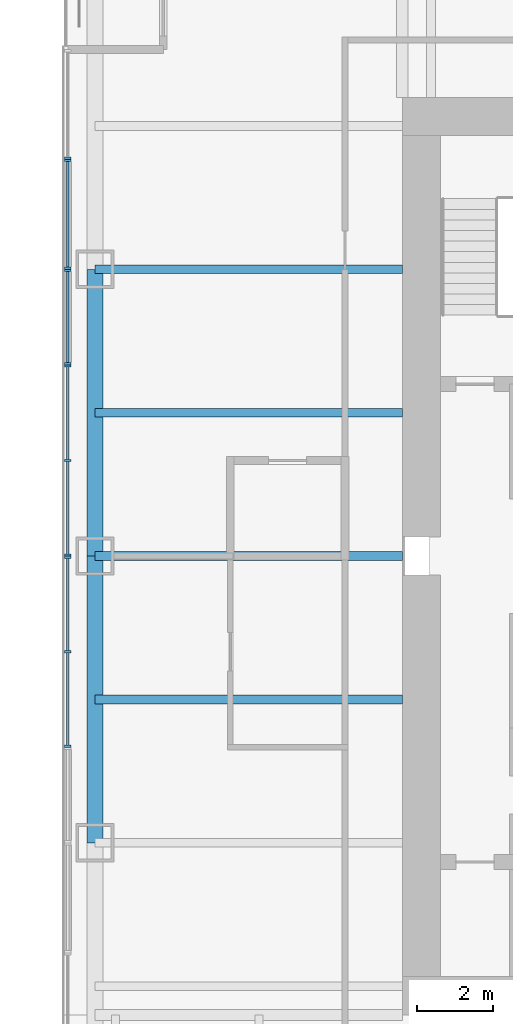
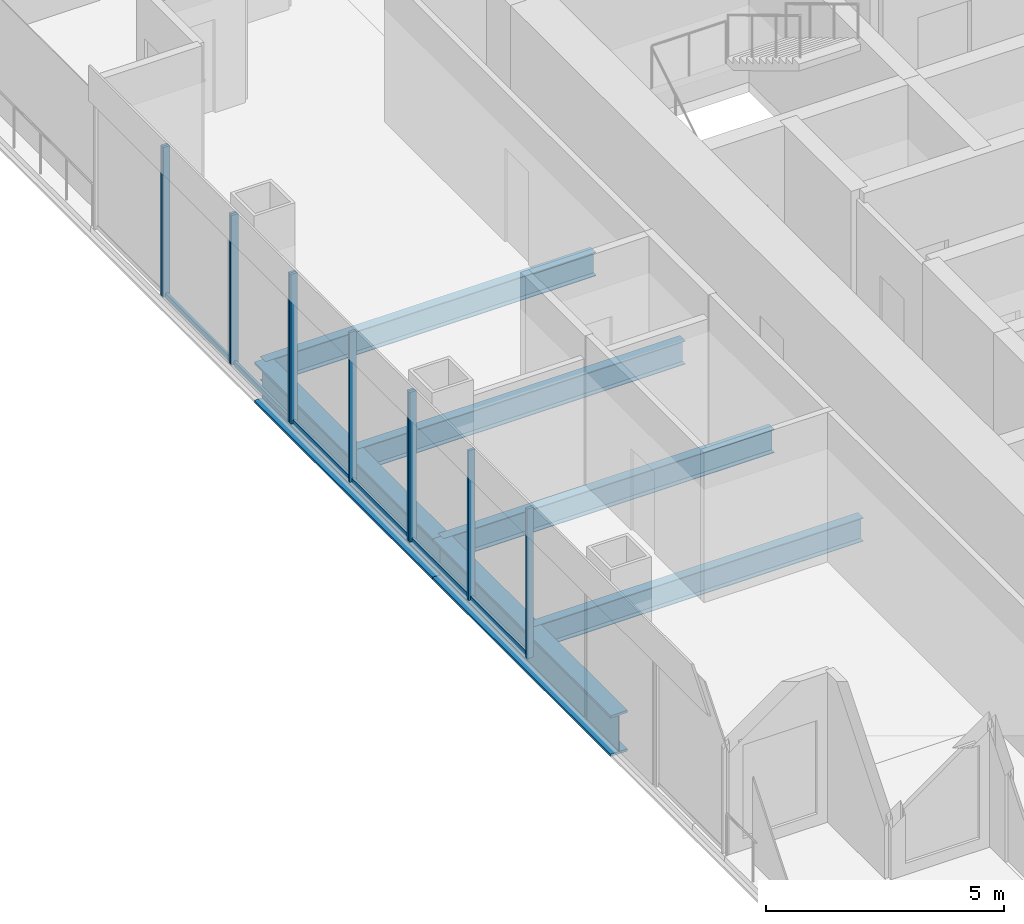
# One storey, part 4 of 14: 17 members, 6 beams, 5 elements without a shape of their own.
"""IFC4 building model written with IfcOpenShell, lengths in metres."""

import ifcopenshell
import ifcopenshell.guid

model = None  # the IFC model being written
_history = None  # IfcOwnerHistory: only IFC2X3 demands one
_inside = {}  # id of a spatial element -> (the spatial element, [elements in it])
_under = {}  # id of a project, library or spatial element -> (it, [spatial elements below it])
_declared = {}  # id of a project -> (the project, [libraries it declares])
_typed = {}  # id of a type object -> (the type object, [elements of that type])
_made_of = {}  # id of a material, layer set ... -> (it, [elements and type objects made of it])


def new_model(schema):
    """Start an empty IFC model of exactly this schema.

    Asked for "IFC4X3", IfcOpenShell would pick the latest addendum, in which some entities
    have other attributes; the version numbers below select the first issue.
    IFC2X3 requires an IfcOwnerHistory on every rooted entity: one is made here for all.
    """
    global model, _history
    if schema == "IFC4X3":
        model = ifcopenshell.file(schema_version=(4, 3, 0, 0))
    else:
        model = ifcopenshell.file(schema=schema)
    _inside.clear()
    _under.clear()
    _declared.clear()
    _typed.clear()
    _made_of.clear()
    _history = None
    if model.schema == "IFC2X3":
        org = make("IfcOrganization", Name="unknown")
        user = make(
            "IfcPersonAndOrganization",
            ThePerson=make("IfcPerson", FamilyName="unknown"),
            TheOrganization=org,
        )
        app = make(
            "IfcApplication",
            ApplicationDeveloper=org,
            Version="unknown",
            ApplicationFullName="unknown",
            ApplicationIdentifier="unknown",
        )
        _history = make(
            "IfcOwnerHistory",
            OwningUser=user,
            OwningApplication=app,
            ChangeAction="ADDED",
            CreationDate=0,
        )
    return model


def make(cls, **values):
    """One entity of the class cls with the attributes given. An attribute that is None is left unset."""
    return model.create_entity(
        cls, **{name: value for name, value in values.items() if value is not None}
    )


def rooted(cls, **values):
    """An entity with a GlobalId (a new one), such as an element, a storey or a relation."""
    return make(cls, GlobalId=ifcopenshell.guid.new(), OwnerHistory=_history, **values)


def si_unit(unit_type, name, prefix=None):
    """IfcSIUnit, for example si_unit("LENGTHUNIT", "METRE", prefix="MILLI")."""
    return make("IfcSIUnit", UnitType=unit_type, Prefix=prefix, Name=name)


def assignment(units):
    """IfcUnitAssignment: the units of a project."""
    return None if units is None else make("IfcUnitAssignment", Units=units)


def point(xyz):
    """IfcCartesianPoint."""
    return None if xyz is None else make("IfcCartesianPoint", Coordinates=xyz)


def direction(xyz):
    """IfcDirection."""
    return None if xyz is None else make("IfcDirection", DirectionRatios=xyz)


def frame(location, z_axis=None, x_axis=None):
    """IfcAxis2Placement3D, a coordinate frame: its origin and axes. An axis left out is left unset."""
    return make(
        "IfcAxis2Placement3D",
        Location=point(location),
        Axis=direction(z_axis),
        RefDirection=direction(x_axis),
    )


def frame_2d(location, x_axis=None):
    """IfcAxis2Placement2D, a coordinate frame in the plane: its origin and x axis."""
    return make(
        "IfcAxis2Placement2D", Location=point(location), RefDirection=direction(x_axis)
    )


def origin():
    """The frame at (0, 0, 0) with its axes left unset."""
    return frame((0.0, 0.0, 0.0))


def origin_2d():
    """The frame at (0, 0) in the plane with its x axis left unset."""
    return frame_2d((0.0, 0.0))


def place(relative_to, where):
    """IfcLocalPlacement: puts the frame where relative to a parent placement (None: the world)."""
    return make(
        "IfcLocalPlacement", PlacementRelTo=relative_to, RelativePlacement=where
    )


def context(
    kind, dimensions, precision=None, world=None, true_north=None, identifier=None
):
    """IfcGeometricRepresentationContext, for example the 3D "Model" context."""
    return make(
        "IfcGeometricRepresentationContext",
        ContextIdentifier=identifier,
        ContextType=kind,
        CoordinateSpaceDimension=dimensions,
        Precision=precision,
        WorldCoordinateSystem=world,
        TrueNorth=true_north,
    )


def subcontext(parent, identifier, kind, view, scale=None):
    """IfcGeometricRepresentationSubContext, for example "Body" below "Model"."""
    return make(
        "IfcGeometricRepresentationSubContext",
        ContextIdentifier=identifier,
        ContextType=kind,
        ParentContext=parent,
        TargetScale=scale,
        TargetView=view,
    )


def project(units=None, contexts=None):
    """IfcProject with its units and contexts."""
    return rooted(
        "IfcProject",
        Name="project",
        RepresentationContexts=contexts,
        UnitsInContext=assignment(units),
    )


def spatial(cls, under=None, at=None, **own):
    """A site, building, storey or space (cls), placed at a placement, below another one or the project."""
    s = rooted(cls, ObjectPlacement=at, **own)
    if under is not None:
        _under.setdefault(under.id(), (under, []))[1].append(s)
    return s


def profile(cls, at=None, kind="AREA", **sizes):
    """A parametric profile (cls). Its sizes go by their IFC names, for example OverallWidth=200.0."""
    return make(cls, ProfileType=kind, Position=at, **sizes)


def rectangle(**sizes):
    """IfcRectangleProfileDef."""
    return profile("IfcRectangleProfileDef", **sizes)


def i_section(**sizes):
    """IfcIShapeProfileDef."""
    return profile("IfcIShapeProfileDef", **sizes)


def extrude(swept, where, along, depth):
    """IfcExtrudedAreaSolid: the profile swept, set in the frame where, extruded along a direction by depth."""
    return make(
        "IfcExtrudedAreaSolid",
        SweptArea=swept,
        Position=where,
        ExtrudedDirection=direction(along),
        Depth=depth,
    )


def shape(context_of_items, identifier, shape_type, items):
    """IfcShapeRepresentation: the items that make up one representation, for example the "Body"."""
    return make(
        "IfcShapeRepresentation",
        ContextOfItems=context_of_items,
        RepresentationIdentifier=identifier,
        RepresentationType=shape_type,
        Items=items,
    )


def material(Name=None, Category=None):
    """IfcMaterial."""
    return make("IfcMaterial", Name=Name, Category=Category)


def material_profile(
    of_material, cross_section, Name=None, Category=None, Priority=None
):
    """IfcMaterialProfile: a cross section and its material."""
    return make(
        "IfcMaterialProfile",
        Name=Name,
        Material=of_material,
        Profile=cross_section,
        Priority=Priority,
        Category=Category,
    )


def profile_set(profiles, Name=None, composite=None):
    """IfcMaterialProfileSet."""
    return make(
        "IfcMaterialProfileSet",
        Name=Name,
        MaterialProfiles=profiles,
        CompositeProfile=composite,
    )


def made_of(thing, what):
    """Note that an element or type object is made of a material, layer set ...; save() writes the relation."""
    if what is not None:
        _made_of.setdefault(what.id(), (what, []))[1].append(thing)
    return thing


def type_object(cls, material=None, **own):
    """A type object (cls), such as IfcWallType, which elements share."""
    return made_of(rooted(cls, **own), material)


def element(
    cls,
    number,
    at=None,
    inside=None,
    cuts=None,
    type_object=None,
    material=None,
    context=None,
    identifier="Body",
    shape_type=None,
    held_by="IfcProductDefinitionShape",
    body=None,
    shapes=None,
    **own,
):
    """One element of the class cls, such as IfcWall. Its Tag is "e" and its number.

    at: its placement. inside: the storey or other place that contains it. cuts: it is an
    opening in that element (IfcRelVoidsElement). A single representation is given by context,
    identifier, shape_type and body (its items); several are given by shapes. held_by: the class
    of the entity that holds the representations. save() writes the other relations.
    """
    e = rooted(cls, Tag="e%d" % number, ObjectPlacement=at, **own)
    if body is not None:
        shapes = [shape(context, identifier, shape_type, body)]
    if shapes is not None:
        e.Representation = make(held_by, Representations=shapes)
    if inside is not None:
        _inside.setdefault(inside.id(), (inside, []))[1].append(e)
    if cuts is not None:
        rooted(
            "IfcRelVoidsElement", RelatingBuildingElement=cuts, RelatedOpeningElement=e
        )
    if type_object is not None:
        _typed.setdefault(type_object.id(), (type_object, []))[1].append(e)
    return made_of(e, material)


def aggregate(whole, parts):
    """IfcRelAggregates: a whole, such as a stair, and the parts it consists of."""
    return rooted("IfcRelAggregates", RelatingObject=whole, RelatedObjects=parts)


def save(model, path):
    """Write the relations noted so far, then the file.

    IfcRelAggregates (storeys below a building ...), IfcRelContainedInSpatialStructure (elements
    in a storey), IfcRelDefinesByType, IfcRelAssociatesMaterial and IfcRelDeclares: one each for
    every whole, place, type object, material and project.
    """
    for whole, parts in _under.values():
        aggregate(whole, parts)
    for where, things in _inside.values():
        rooted(
            "IfcRelContainedInSpatialStructure",
            RelatedElements=things,
            RelatingStructure=where,
        )
    for kind, things in _typed.values():
        rooted("IfcRelDefinesByType", RelatedObjects=things, RelatingType=kind)
    for what, things in _made_of.values():
        rooted("IfcRelAssociatesMaterial", RelatedObjects=things, RelatingMaterial=what)
    for by, libraries in _declared.values():
        rooted("IfcRelDeclares", RelatingContext=by, RelatedDefinitions=libraries)
    model.write(path)


model = new_model("IFC4")

# Units and contexts
model_context = context("Model", 3, precision=1e-05, world=origin(), true_north=direction((0.0, 1.0)))
body_context = subcontext(model_context, "Body", "Model", "MODEL_VIEW")
ifc_project = project(units=[si_unit("LENGTHUNIT", "METRE"), si_unit("AREAUNIT", "SQUARE_METRE"), si_unit("VOLUMEUNIT", "CUBIC_METRE"), si_unit("PLANEANGLEUNIT", "RADIAN"), si_unit("MASSUNIT", "GRAM", prefix="KILO")], contexts=[model_context])

# Site, building, storey
site_placement = place(None, origin())
site = spatial("IfcSite", under=ifc_project, at=site_placement, CompositionType="ELEMENT")
building_placement = place(site_placement, origin())
building = spatial("IfcBuilding", under=site, at=building_placement, Name="Tarangal Relay Tower", CompositionType="ELEMENT")
storey_placement = place(building_placement, frame((0.0, 0.0, 283.89990234375)))
storey = spatial("IfcBuildingStorey", under=building, at=storey_placement, Name="L62", CompositionType="ELEMENT", Elevation=283.89990234375)

# Beams
ifc_material_1 = material(Name="Steel ASTM A992", Category="steel")
ifc_material_profile_1 = material_profile(ifc_material_1, i_section(OverallWidth=0.41162109375, OverallDepth=1.049072265625, WebThickness=0.033935546875, FlangeThickness=0.059814453125, at=origin_2d()), Name="W40X431")
ifc_profile_set_1 = profile_set([ifc_material_profile_1], Name="Steel ASTM A992")
beam_type_1 = type_object("IfcBeamType", Name="Edge girder W40X431", PredefinedType="SPANDREL", material=ifc_profile_set_1)
for number, where, z_axis, x_axis, name in (
    (1, (-20.0400390625, -7.5, -0.67431640625), (0.0, 1.0, 0.0), (-1.0, 0.0, 0.0), "Edge girder EG1 W L62"),
    (2, (-20.0400390625, 0.0, -0.67431640625), (0.0, 1.0, 0.0), (-1.0, 0.0, 0.0), "Edge girder EG1 W L62"),
):
    element("IfcBeam", number, at=place(storey_placement, frame(where, z_axis=z_axis, x_axis=x_axis)), inside=storey, type_object=beam_type_1, Name=name, PredefinedType="SPANDREL", context=body_context, shape_type="SweptSolid", body=[
        extrude(i_section(OverallWidth=0.41162109375, OverallDepth=1.049072265625, WebThickness=0.033935546875, FlangeThickness=0.059814453125, at=origin_2d()), origin(), (0.0, 0.0, 1.0), 7.5),
    ])
ifc_material_profile_2 = material_profile(ifc_material_1, i_section(OverallWidth=0.228271484375, OverallDepth=0.607177734375, WebThickness=0.01123046875, FlangeThickness=0.017333984375, at=origin_2d()), Name="W24X76")
ifc_profile_set_2 = profile_set([ifc_material_profile_2], Name="Steel ASTM A992")
beam_type_2 = type_object("IfcBeamType", Name="Floor beam W24X76", PredefinedType="BEAM", material=ifc_profile_set_2)
for number, where, z_axis, x_axis, name in (
    (3, (-12.0, -3.75, -0.453369140625), (-1.0, 0.0, 0.0), (0.0, -1.0, 0.0), "Floor beam RB5 W L62"),
    (4, (-12.0, 0.0, -0.453369140625), (-1.0, 0.0, 0.0), (0.0, -1.0, 0.0), "Floor beam RB5 W L62"),
    (5, (-12.0, 3.75, -0.453369140625), (-1.0, 0.0, 0.0), (0.0, -1.0, 0.0), "Floor beam RB5 W L62"),
    (6, (-12.0, 7.5, -0.453369140625), (-1.0, 0.0, 0.0), (0.0, -1.0, 0.0), "Floor beam RB5 W L62"),
):
    element("IfcBeam", number, at=place(storey_placement, frame(where, z_axis=z_axis, x_axis=x_axis)), inside=storey, type_object=beam_type_2, Name=name, PredefinedType="BEAM", context=body_context, shape_type="SweptSolid", body=[
        extrude(i_section(OverallWidth=0.228271484375, OverallDepth=0.607177734375, WebThickness=0.01123046875, FlangeThickness=0.017333984375, at=origin_2d()), origin(), (0.0, 0.0, 1.0), 8.0400390625),
    ])

# Curtain wall, members
ifc_material_2 = material(Name="Unitised curtain wall, dark glass and black aluminium", Category="aluminium")
curtain_wall_type_1 = type_object("IfcCurtainWallType", Name="Curtain wall CW-B", PredefinedType="USERDEFINED", material=ifc_material_2)
curtain_wall_1_placement = place(storey_placement, origin())
curtain_wall_1 = element("IfcCurtainWall", 7, at=curtain_wall_1_placement, inside=storey, type_object=curtain_wall_type_1, Name="Curtain wall CW-B W facade L62", ObjectType="UNITISED CURTAIN WALL", PredefinedType="USERDEFINED")
ifc_material_3 = material(Name="Black anodised aluminium mullion", Category="aluminium")
ifc_material_profile_3 = material_profile(ifc_material_3, rectangle(XDim=0.159912109375, YDim=0.06005859375, at=origin_2d()), Name="CW-BM 60X160")
ifc_profile_set_3 = profile_set([ifc_material_profile_3], Name="Black anodised aluminium mullion")
member_type_1 = type_object("IfcMemberType", Name="Mullion CW-B 60 x 160", PredefinedType="MULLION", material=ifc_profile_set_3)
member_1_placement = place(storey_placement, frame((-20.75, -4.969970703125, 0.0), z_axis=(0.0, 0.0, 1.0), x_axis=(-1.0, 0.0, 0.0)))
member_1 = element("IfcMember", 8, at=member_1_placement, type_object=member_type_1, Name="CW-B mullion 1", PredefinedType="MULLION", context=body_context, shape_type="SweptSolid", body=[
    extrude(rectangle(XDim=0.159912109375, YDim=0.06005859375, at=origin_2d()), origin(), (0.0, 0.0, 1.0), 3.85009765625),
])
member_2_placement = place(storey_placement, frame((-20.75, -2.5, 0.0), z_axis=(0.0, 0.0, 1.0), x_axis=(-1.0, 0.0, 0.0)))
member_2 = element("IfcMember", 9, at=member_2_placement, type_object=member_type_1, Name="CW-B mullion 2", PredefinedType="MULLION", context=body_context, shape_type="SweptSolid", body=[
    extrude(rectangle(XDim=0.159912109375, YDim=0.06005859375, at=origin_2d()), origin(), (0.0, 0.0, 1.0), 3.85009765625),
])
member_3_placement = place(storey_placement, frame((-20.75, -0.030029296875, 0.0), z_axis=(0.0, 0.0, 1.0), x_axis=(-1.0, 0.0, 0.0)))
member_3 = element("IfcMember", 10, at=member_3_placement, type_object=member_type_1, Name="CW-B mullion 3", PredefinedType="MULLION", context=body_context, shape_type="SweptSolid", body=[
    extrude(rectangle(XDim=0.159912109375, YDim=0.06005859375, at=origin_2d()), origin(), (0.0, 0.0, 1.0), 3.85009765625),
])

curtain_wall_2_placement = place(storey_placement, origin())
curtain_wall_2 = element("IfcCurtainWall", 11, at=curtain_wall_2_placement, inside=storey, type_object=curtain_wall_type_1, Name="Curtain wall CW-B W facade L62", ObjectType="UNITISED CURTAIN WALL", PredefinedType="USERDEFINED")
member_4_placement = place(storey_placement, frame((-20.75, 0.030029296875, 0.0), z_axis=(0.0, 0.0, 1.0), x_axis=(-1.0, 0.0, 0.0)))
member_4 = element("IfcMember", 12, at=member_4_placement, type_object=member_type_1, Name="CW-B mullion 1", PredefinedType="MULLION", context=body_context, shape_type="SweptSolid", body=[
    extrude(rectangle(XDim=0.159912109375, YDim=0.06005859375, at=origin_2d()), origin(), (0.0, 0.0, 1.0), 3.85009765625),
])
member_5_placement = place(storey_placement, frame((-20.75, 2.5, 0.0), z_axis=(0.0, 0.0, 1.0), x_axis=(-1.0, 0.0, 0.0)))
member_5 = element("IfcMember", 13, at=member_5_placement, type_object=member_type_1, Name="CW-B mullion 2", PredefinedType="MULLION", context=body_context, shape_type="SweptSolid", body=[
    extrude(rectangle(XDim=0.159912109375, YDim=0.06005859375, at=origin_2d()), origin(), (0.0, 0.0, 1.0), 3.85009765625),
])
member_6_placement = place(storey_placement, frame((-20.75, 4.969970703125, 0.0), z_axis=(0.0, 0.0, 1.0), x_axis=(-1.0, 0.0, 0.0)))
member_6 = element("IfcMember", 14, at=member_6_placement, type_object=member_type_1, Name="CW-B mullion 3", PredefinedType="MULLION", context=body_context, shape_type="SweptSolid", body=[
    extrude(rectangle(XDim=0.159912109375, YDim=0.06005859375, at=origin_2d()), origin(), (0.0, 0.0, 1.0), 3.85009765625),
])

# Curtain wall, member
curtain_wall_3_placement = place(storey_placement, origin())
curtain_wall_3 = element("IfcCurtainWall", 15, at=curtain_wall_3_placement, inside=storey, type_object=curtain_wall_type_1, Name="Curtain wall CW-B W facade L62", ObjectType="UNITISED CURTAIN WALL", PredefinedType="USERDEFINED")
member_7_placement = place(storey_placement, frame((-20.75, 10.405029296875, 0.0), z_axis=(0.0, 0.0, 1.0), x_axis=(-1.0, 0.0, 0.0)))
member_7 = element("IfcMember", 16, at=member_7_placement, type_object=member_type_1, Name="CW-B mullion 1", PredefinedType="MULLION", context=body_context, shape_type="SweptSolid", body=[
    extrude(rectangle(XDim=0.159912109375, YDim=0.06005859375, at=origin_2d()), origin(), (0.0, 0.0, 1.0), 3.85009765625),
])
aggregate(curtain_wall_3, [member_7])

# Curtain wall, members
ifc_material_4 = material(Name="Unitised curtain wall frame, black aluminium, with metal clad infill walls", Category="aluminium")
curtain_wall_type_2 = type_object("IfcCurtainWallType", Name="Curtain wall CW-BO", PredefinedType="USERDEFINED", material=ifc_material_4)
curtain_wall_4_placement = place(storey_placement, origin())
curtain_wall_4 = element("IfcCurtainWall", 17, at=curtain_wall_4_placement, inside=storey, type_object=curtain_wall_type_2, Name="Curtain wall CW-BO W facade L62", ObjectType="UNITISED CURTAIN WALL", PredefinedType="USERDEFINED")
ifc_material_profile_4 = material_profile(ifc_material_3, rectangle(XDim=0.159912109375, YDim=0.06005859375, at=origin_2d()), Name="CW-BOM 60X160")
ifc_profile_set_4 = profile_set([ifc_material_profile_4], Name="Black anodised aluminium mullion")
member_type_2 = type_object("IfcMemberType", Name="Mullion CW-BO 60 x 160", PredefinedType="MULLION", material=ifc_profile_set_4)
member_8_placement = place(storey_placement, frame((-20.75, 5.030029296875, 0.0), z_axis=(0.0, 0.0, 1.0), x_axis=(-1.0, 0.0, 0.0)))
member_8 = element("IfcMember", 18, at=member_8_placement, type_object=member_type_2, Name="CW-BO mullion 1", PredefinedType="MULLION", context=body_context, shape_type="SweptSolid", body=[
    extrude(rectangle(XDim=0.159912109375, YDim=0.06005859375, at=origin_2d()), origin(), (0.0, 0.0, 1.0), 3.85009765625),
])
member_9_placement = place(storey_placement, frame((-20.75, 7.469970703125, 0.0), z_axis=(0.0, 0.0, 1.0), x_axis=(-1.0, 0.0, 0.0)))
member_9 = element("IfcMember", 19, at=member_9_placement, type_object=member_type_2, Name="CW-BO mullion 2", PredefinedType="MULLION", context=body_context, shape_type="SweptSolid", body=[
    extrude(rectangle(XDim=0.159912109375, YDim=0.06005859375, at=origin_2d()), origin(), (0.0, 0.0, 1.0), 3.85009765625),
])

curtain_wall_5_placement = place(storey_placement, origin())
curtain_wall_5 = element("IfcCurtainWall", 20, at=curtain_wall_5_placement, inside=storey, type_object=curtain_wall_type_2, Name="Curtain wall CW-BO W facade L62", ObjectType="UNITISED CURTAIN WALL", PredefinedType="USERDEFINED")
member_10_placement = place(storey_placement, frame((-20.75, 7.530029296875, 0.0), z_axis=(0.0, 0.0, 1.0), x_axis=(-1.0, 0.0, 0.0)))
member_10 = element("IfcMember", 21, at=member_10_placement, type_object=member_type_2, Name="CW-BO mullion 1", PredefinedType="MULLION", context=body_context, shape_type="SweptSolid", body=[
    extrude(rectangle(XDim=0.159912109375, YDim=0.06005859375, at=origin_2d()), origin(), (0.0, 0.0, 1.0), 3.85009765625),
])
member_11_placement = place(storey_placement, frame((-20.75, 10.344970703125, 0.0), z_axis=(0.0, 0.0, 1.0), x_axis=(-1.0, 0.0, 0.0)))
member_11 = element("IfcMember", 22, at=member_11_placement, type_object=member_type_2, Name="CW-BO mullion 2", PredefinedType="MULLION", context=body_context, shape_type="SweptSolid", body=[
    extrude(rectangle(XDim=0.159912109375, YDim=0.06005859375, at=origin_2d()), origin(), (0.0, 0.0, 1.0), 3.85009765625),
])

# Member
ifc_material_5 = material(Name="Black anodised aluminium transom", Category="aluminium")
ifc_material_profile_5 = material_profile(ifc_material_5, rectangle(XDim=0.06005859375, YDim=0.1298828125, at=origin_2d()), Name="CW-BT 60X130")
ifc_profile_set_5 = profile_set([ifc_material_profile_5], Name="Black anodised aluminium transom")
member_type_3 = type_object("IfcMemberType", Name="Transom CW-B 60 x 130", PredefinedType="USERDEFINED", material=ifc_profile_set_5)
member_12_placement = place(storey_placement, frame((-20.75, -4.93994140625, 0.030029296875), z_axis=(0.0, 1.0, 0.0), x_axis=(-1.0, 0.0, 0.0)))
member_12 = element("IfcMember", 23, at=member_12_placement, type_object=member_type_3, Name="CW-B transom 1.1", ObjectType="TRANSOM", PredefinedType="USERDEFINED", context=body_context, shape_type="SweptSolid", body=[
    extrude(rectangle(XDim=0.06005859375, YDim=0.1298828125, at=origin_2d()), origin(), (0.0, 0.0, 1.0), 2.409912109375),
])

member_13_placement = place(storey_placement, frame((-20.75, -2.469970703125, 0.030029296875), z_axis=(0.0, 1.0, 0.0), x_axis=(-1.0, 0.0, 0.0)))
member_13 = element("IfcMember", 24, at=member_13_placement, type_object=member_type_3, Name="CW-B transom 2.1", ObjectType="TRANSOM", PredefinedType="USERDEFINED", context=body_context, shape_type="SweptSolid", body=[
    extrude(rectangle(XDim=0.06005859375, YDim=0.1298828125, at=origin_2d()), origin(), (0.0, 0.0, 1.0), 2.409912109375),
])

aggregate(curtain_wall_1, [member_1, member_2, member_3, member_12, member_13])

member_14_placement = place(storey_placement, frame((-20.75, 0.06005859375, 0.030029296875), z_axis=(0.0, 1.0, 0.0), x_axis=(-1.0, 0.0, 0.0)))
member_14 = element("IfcMember", 25, at=member_14_placement, type_object=member_type_3, Name="CW-B transom 1.1", ObjectType="TRANSOM", PredefinedType="USERDEFINED", context=body_context, shape_type="SweptSolid", body=[
    extrude(rectangle(XDim=0.06005859375, YDim=0.1298828125, at=origin_2d()), origin(), (0.0, 0.0, 1.0), 2.409912109375),
])

member_15_placement = place(storey_placement, frame((-20.75, 2.530029296875, 0.030029296875), z_axis=(0.0, 1.0, 0.0), x_axis=(-1.0, 0.0, 0.0)))
member_15 = element("IfcMember", 26, at=member_15_placement, type_object=member_type_3, Name="CW-B transom 2.1", ObjectType="TRANSOM", PredefinedType="USERDEFINED", context=body_context, shape_type="SweptSolid", body=[
    extrude(rectangle(XDim=0.06005859375, YDim=0.1298828125, at=origin_2d()), origin(), (0.0, 0.0, 1.0), 2.409912109375),
])

aggregate(curtain_wall_2, [member_4, member_5, member_6, member_14, member_15])

ifc_material_profile_6 = material_profile(ifc_material_5, rectangle(XDim=0.06005859375, YDim=0.1298828125, at=origin_2d()), Name="CW-BOT 60X130")
ifc_profile_set_6 = profile_set([ifc_material_profile_6], Name="Black anodised aluminium transom")
member_type_4 = type_object("IfcMemberType", Name="Transom CW-BO 60 x 130", PredefinedType="USERDEFINED", material=ifc_profile_set_6)
member_16_placement = place(storey_placement, frame((-20.75, 5.06005859375, 0.030029296875), z_axis=(0.0, 1.0, 0.0), x_axis=(-1.0, 0.0, 0.0)))
member_16 = element("IfcMember", 27, at=member_16_placement, type_object=member_type_4, Name="CW-BO transom 1.1", ObjectType="TRANSOM", PredefinedType="USERDEFINED", context=body_context, shape_type="SweptSolid", body=[
    extrude(rectangle(XDim=0.06005859375, YDim=0.1298828125, at=origin_2d()), origin(), (0.0, 0.0, 1.0), 2.3798828125),
])

aggregate(curtain_wall_4, [member_8, member_9, member_16])

member_17_placement = place(storey_placement, frame((-20.75, 7.56005859375, 0.030029296875), z_axis=(0.0, 1.0, 0.0), x_axis=(-1.0, 0.0, 0.0)))
member_17 = element("IfcMember", 28, at=member_17_placement, type_object=member_type_4, Name="CW-BO transom 1.1", ObjectType="TRANSOM", PredefinedType="USERDEFINED", context=body_context, shape_type="SweptSolid", body=[
    extrude(rectangle(XDim=0.06005859375, YDim=0.1298828125, at=origin_2d()), origin(), (0.0, 0.0, 1.0), 2.7548828125),
])

aggregate(curtain_wall_5, [member_10, member_11, member_17])

save(model, "model.ifc")
